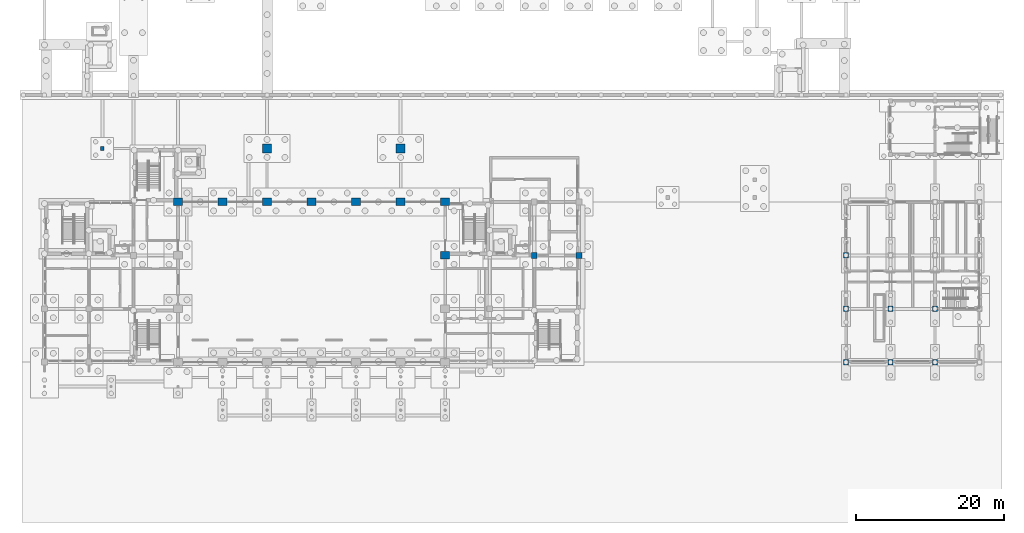
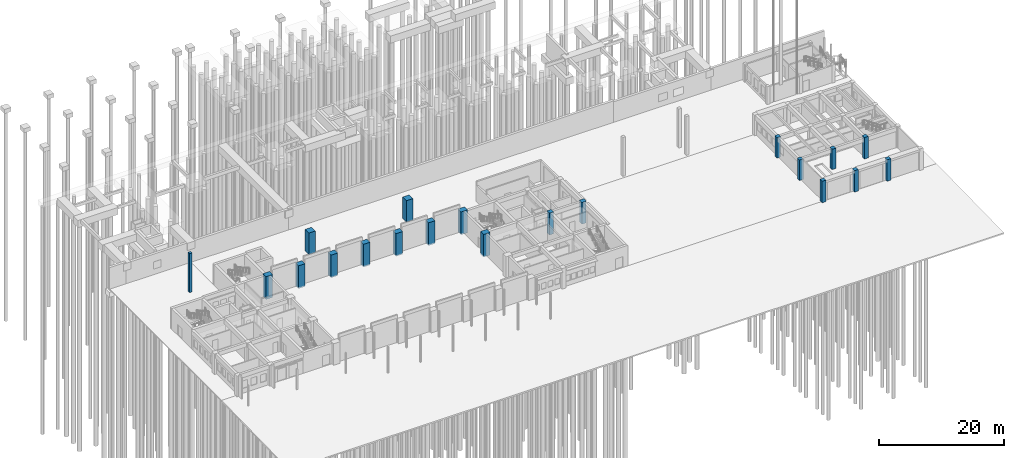
# One storey, part 11 of 37: 20 columns.
"""IFC4 building model written with IfcOpenShell, lengths in metres."""

from ifc_helpers import new_model, si_unit, direction, frame, origin, origin_2d, place, context, subcontext, project, spatial, rectangle, extrude, material, material_profile, profile_set, type_object, element, save


model = new_model("IFC4")

# Units and contexts
model_context = context("Model", 3, precision=1e-05, world=origin(), true_north=direction((0.0, 1.0)))
body_context = subcontext(model_context, "Body", "Model", "MODEL_VIEW")
ifc_project = project(units=[si_unit("LENGTHUNIT", "METRE"), si_unit("AREAUNIT", "SQUARE_METRE"), si_unit("VOLUMEUNIT", "CUBIC_METRE"), si_unit("PLANEANGLEUNIT", "RADIAN"), si_unit("MASSUNIT", "GRAM", prefix="KILO")], contexts=[model_context])

# Site, building, storey
site_placement = place(None, origin())
site = spatial("IfcSite", under=ifc_project, at=site_placement, CompositionType="ELEMENT")
building_placement = place(site_placement, origin())
building = spatial("IfcBuilding", under=site, at=building_placement, Name="Laocheng Heights Fire and Rescue Headquarters", CompositionType="ELEMENT")
storey_placement = place(building_placement, origin())
storey = spatial("IfcBuildingStorey", under=building, at=storey_placement, Name="L00", CompositionType="ELEMENT", Elevation=0.0)

# Columns
ifc_material_1 = material(Name="Concrete C60", Category="concrete")
ifc_material_profile_1 = material_profile(ifc_material_1, rectangle(XDim=1.199951171875, YDim=1.0, at=origin_2d()), Name="RC COLUMN 1200x1000 BAY PIER")
ifc_profile_set_1 = profile_set([ifc_material_profile_1], Name="Concrete C60")
column_type_1 = type_object("IfcColumnType", Name="RC COLUMN 1200x1000 BAY PIER", PredefinedType="COLUMN", material=ifc_profile_set_1)
for number, where, z_axis, x_axis, name in (
    (1, (18.0, 21.60009765625, -0.25), (0.0, 0.0, 1.0), (1.0, 0.0, 0.0), "Bay pier 4/D"),
    (2, (24.0, 21.60009765625, -0.25), (0.0, 0.0, 1.0), (1.0, 0.0, 0.0), "Bay pier 5/D"),
    (3, (30.0, 21.60009765625, -0.25), (0.0, 0.0, 1.0), (1.0, 0.0, 0.0), "Bay pier 6/D"),
    (4, (36.0, 21.60009765625, -0.25), (0.0, 0.0, 1.0), (1.0, 0.0, 0.0), "Bay pier 7/D"),
    (5, (42.0, 21.60009765625, -0.25), (0.0, 0.0, 1.0), (1.0, 0.0, 0.0), "Bay pier 8/D"),
    (6, (48.0, 21.60009765625, -0.25), (0.0, 0.0, 1.0), (1.0, 0.0, 0.0), "Bay pier 9/D"),
    (7, (54.0, 14.39990234375, -0.25), (0.0, 0.0, 1.0), (1.0, 0.0, 0.0), "Bay pier 10/C"),
    (8, (54.0, 21.60009765625, -0.25), (0.0, 0.0, 1.0), (1.0, 0.0, 0.0), "Bay pier 10/D"),
):
    element("IfcColumn", number, at=place(storey_placement, frame(where, z_axis=z_axis, x_axis=x_axis)), inside=storey, type_object=column_type_1, Name=name, PredefinedType="COLUMN", context=body_context, shape_type="SweptSolid", body=[
        extrude(rectangle(XDim=1.199951171875, YDim=1.0, at=origin_2d()), origin(), (0.0, 0.0, 1.0), 4.449951171875),
    ])
ifc_material_2 = material(Name="Concrete C60", Category="concrete")
ifc_material_profile_2 = material_profile(ifc_material_2, rectangle(XDim=1.199951171875, YDim=1.199951171875, at=origin_2d()), Name="RC COLUMN 1200x1200 LANE")
ifc_profile_set_2 = profile_set([ifc_material_profile_2], Name="Concrete C60")
column_type_2 = type_object("IfcColumnType", Name="RC COLUMN 1200x1200 LANE", PredefinedType="COLUMN", material=ifc_profile_set_2)
for number, where, z_axis, x_axis, name in (
    (9, (30.0, 28.800048828125, 0.0), (0.0, 0.0, 1.0), (1.0, 0.0, 0.0), "Lane column"),
    (10, (48.0, 28.800048828125, 0.0), (0.0, 0.0, 1.0), (1.0, 0.0, 0.0), "Lane column"),
):
    element("IfcColumn", number, at=place(storey_placement, frame(where, z_axis=z_axis, x_axis=x_axis)), inside=storey, type_object=column_type_2, Name=name, PredefinedType="COLUMN", context=body_context, shape_type="SweptSolid", body=[
        extrude(rectangle(XDim=1.199951171875, YDim=1.199951171875, at=origin_2d()), origin(), (0.0, 0.0, 1.0), 4.199951171875),
    ])
ifc_material_3 = material(Name="Concrete C40", Category="concrete")
ifc_material_profile_3 = material_profile(ifc_material_3, rectangle(XDim=0.5, YDim=0.5, at=origin_2d()), Name="RC COLUMN 500x500 BRIDGE PIER")
ifc_profile_set_3 = profile_set([ifc_material_profile_3], Name="Concrete C40")
column_type_3 = type_object("IfcColumnType", Name="RC COLUMN 500x500 BRIDGE PIER", PredefinedType="COLUMN", material=ifc_profile_set_3)
column_1_placement = place(storey_placement, frame((7.800048828125, 28.800048828125, 0.0), z_axis=(0.0, 0.0, 1.0), x_axis=(1.0, 0.0, 0.0)))
element("IfcColumn", 11, at=column_1_placement, inside=storey, type_object=column_type_3, Name="Bridge pier", PredefinedType="COLUMN", context=body_context, shape_type="SweptSolid", body=[
    extrude(rectangle(XDim=0.5, YDim=0.5, at=origin_2d()), origin(), (0.0, 0.0, 1.0), 7.60009765625),
])
ifc_material_4 = material(Name="Concrete C45", Category="concrete")
ifc_material_profile_4 = material_profile(ifc_material_4, rectangle(XDim=0.699951171875, YDim=0.699951171875, at=origin_2d()), Name="RC COLUMN 700x700 WORKSHOP")
ifc_profile_set_4 = profile_set([ifc_material_profile_4], Name="Concrete C45")
column_type_4 = type_object("IfcColumnType", Name="RC COLUMN 700x700 WORKSHOP", PredefinedType="COLUMN", material=ifc_profile_set_4)
for number, where, z_axis, x_axis, name in (
    (12, (108.0, 0.0, 0.0), (0.0, 0.0, 1.0), (1.0, 0.0, 0.0), "Workshop column"),
    (13, (114.0, 0.0, 0.0), (0.0, 0.0, 1.0), (1.0, 0.0, 0.0), "Workshop column"),
    (14, (120.0, 0.0, 0.0), (0.0, 0.0, 1.0), (1.0, 0.0, 0.0), "Workshop column"),
):
    element("IfcColumn", number, at=place(storey_placement, frame(where, z_axis=z_axis, x_axis=x_axis)), inside=storey, type_object=column_type_4, Name=name, PredefinedType="COLUMN", context=body_context, shape_type="SweptSolid", body=[
        extrude(rectangle(XDim=0.699951171875, YDim=0.699951171875, at=origin_2d()), origin(), (0.0, 0.0, 1.0), 4.199951171875),
    ])
for number, where, z_axis, x_axis, name in (
    (15, (108.0, 7.199951171875, 0.0), (0.0, 0.0, 1.0), (1.0, 0.0, 0.0), "Workshop column"),
    (16, (114.0, 7.199951171875, 0.0), (0.0, 0.0, 1.0), (1.0, 0.0, 0.0), "Workshop column"),
):
    element("IfcColumn", number, at=place(storey_placement, frame(where, z_axis=z_axis, x_axis=x_axis)), inside=storey, type_object=column_type_4, Name=name, PredefinedType="COLUMN", context=body_context, shape_type="SweptSolid", body=[
        extrude(rectangle(XDim=0.699951171875, YDim=0.699951171875, at=origin_2d()), origin(), (0.0, 0.0, 1.0), 4.0),
    ])
column_2_placement = place(storey_placement, frame((120.0, 7.199951171875, 0.0), z_axis=(0.0, 0.0, 1.0), x_axis=(1.0, 0.0, 0.0)))
element("IfcColumn", 17, at=column_2_placement, inside=storey, type_object=column_type_4, Name="Workshop column", PredefinedType="COLUMN", context=body_context, shape_type="SweptSolid", body=[
    extrude(rectangle(XDim=0.699951171875, YDim=0.699951171875, at=origin_2d()), origin(), (0.0, 0.0, 1.0), 4.199951171875),
])
column_3_placement = place(storey_placement, frame((108.0, 14.39990234375, 0.0), z_axis=(0.0, 0.0, 1.0), x_axis=(1.0, 0.0, 0.0)))
element("IfcColumn", 18, at=column_3_placement, inside=storey, type_object=column_type_4, Name="Workshop column", PredefinedType="COLUMN", context=body_context, shape_type="SweptSolid", body=[
    extrude(rectangle(XDim=0.699951171875, YDim=0.699951171875, at=origin_2d()), origin(), (0.0, 0.0, 1.0), 4.0),
])
ifc_material_5 = material(Name="Concrete C50", Category="concrete")
ifc_material_profile_5 = material_profile(ifc_material_5, rectangle(XDim=0.800048828125, YDim=0.800048828125, at=origin_2d()), Name="RC COLUMN 800x800 PAVILION")
ifc_profile_set_5 = profile_set([ifc_material_profile_5], Name="Concrete C50")
column_type_5 = type_object("IfcColumnType", Name="RC COLUMN 800x800 PAVILION", PredefinedType="COLUMN", material=ifc_profile_set_5)
for number, where, z_axis, x_axis, name in (
    (19, (66.0, 14.39990234375, -0.25), (0.0, 0.0, 1.0), (1.0, 0.0, 0.0), "Pavilion column"),
    (20, (72.0, 14.39990234375, -0.25), (0.0, 0.0, 1.0), (1.0, 0.0, 0.0), "Pavilion column"),
):
    element("IfcColumn", number, at=place(storey_placement, frame(where, z_axis=z_axis, x_axis=x_axis)), inside=storey, type_object=column_type_5, Name=name, PredefinedType="COLUMN", context=body_context, shape_type="SweptSolid", body=[
        extrude(rectangle(XDim=0.800048828125, YDim=0.800048828125, at=origin_2d()), origin(), (0.0, 0.0, 1.0), 4.25),
    ])

save(model, "model.ifc")
